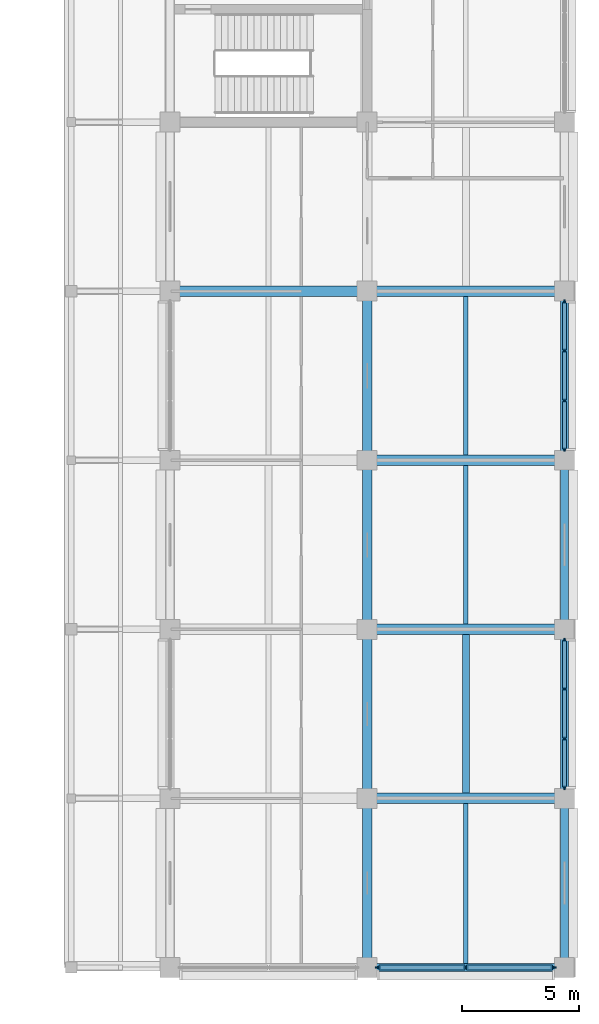
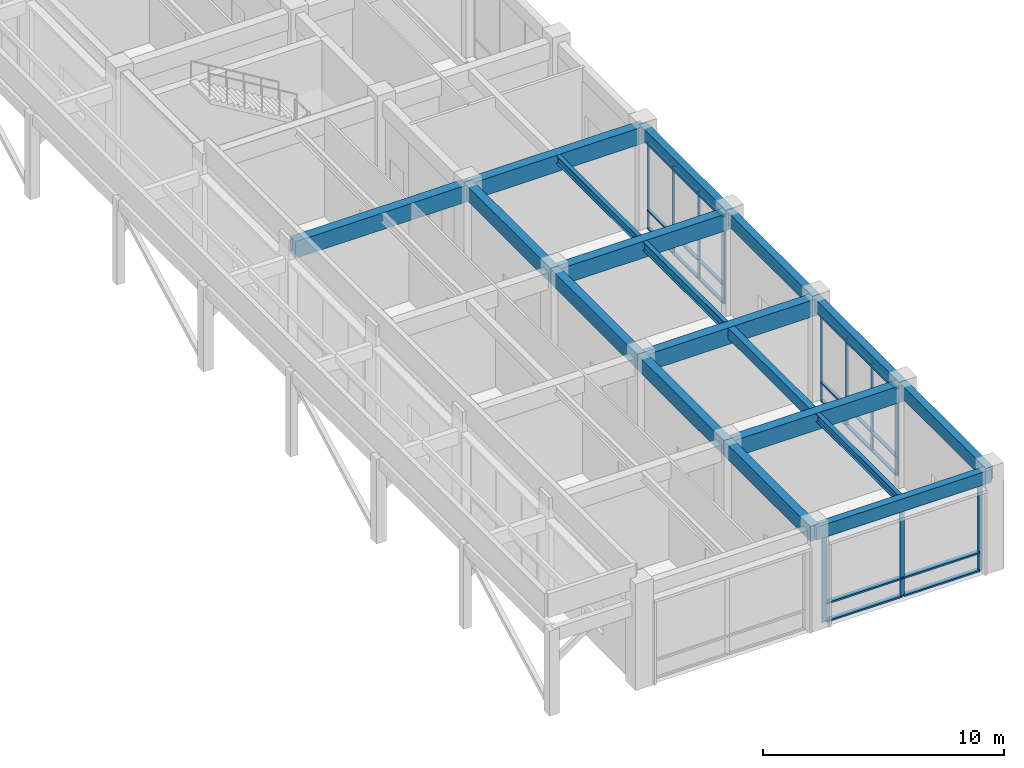
# One storey, part 21 of 68: 35 members, 18 beams, 3 elements without a shape of their own.
"""IFC4 building model written with IfcOpenShell, lengths in metres."""

from ifc_helpers import new_model, si_unit, direction, frame, origin, origin_2d, place, context, subcontext, project, spatial, rectangle, i_section, extrude, material, layer, layer_set, material_profile, profile_set, type_object, element, aggregate, save


model = new_model("IFC4")

# Units and contexts
model_context = context("Model", 3, precision=1e-05, world=origin(), true_north=direction((0.0, 1.0)))
body_context = subcontext(model_context, "Body", "Model", "MODEL_VIEW")
ifc_project = project(units=[si_unit("LENGTHUNIT", "METRE"), si_unit("AREAUNIT", "SQUARE_METRE"), si_unit("VOLUMEUNIT", "CUBIC_METRE"), si_unit("PLANEANGLEUNIT", "RADIAN"), si_unit("MASSUNIT", "GRAM", prefix="KILO")], contexts=[model_context])

# Site, building, storey
site_placement = place(None, origin())
site = spatial("IfcSite", under=ifc_project, at=site_placement, CompositionType="ELEMENT")
building_placement = place(site_placement, origin())
building = spatial("IfcBuilding", under=site, at=building_placement, Name="Chengyuan Square Courthouse", CompositionType="ELEMENT")
storey_placement = place(building_placement, frame((0.0, 0.0, 5.39990234375)))
storey = spatial("IfcBuildingStorey", under=building, at=storey_placement, Name="L02", CompositionType="ELEMENT", Elevation=5.39990234375)

# Beams
ifc_material_1 = material(Name="Concrete C40", Category="concrete")
ifc_material_profile_1 = material_profile(ifc_material_1, rectangle(XDim=0.449951171875, YDim=0.85009765625, at=origin_2d()), Name="RC-BM-450x850")
ifc_profile_set_1 = profile_set([ifc_material_profile_1], Name="Concrete C40")
beam_type_1 = type_object("IfcBeamType", Name="BM-01", PredefinedType="USERDEFINED", material=ifc_profile_set_1)
for number, where, z_axis, x_axis, name in (
    (1, (159.60009765625, 7.199951171875, 4.625), (1.0, 0.0, 0.0), (0.0, 1.0, 0.0), "Girder BM-L02-2078"),
    (2, (159.60009765625, 14.39990234375, 4.625), (1.0, 0.0, 0.0), (0.0, 1.0, 0.0), "Girder BM-L02-2082"),
    (3, (159.60009765625, 21.60009765625, 4.625), (1.0, 0.0, 0.0), (0.0, 1.0, 0.0), "Girder BM-L02-2086"),
):
    element("IfcBeam", number, at=place(storey_placement, frame(where, z_axis=z_axis, x_axis=x_axis)), inside=storey, type_object=beam_type_1, Name=name, ObjectType="GIRDER", PredefinedType="USERDEFINED", context=body_context, shape_type="SweptSolid", body=[
        extrude(rectangle(XDim=0.449951171875, YDim=0.85009765625, at=origin_2d()), origin(), (0.0, 0.0, 1.0), 8.39990234375),
    ])
beam_1_placement = place(storey_placement, frame((151.199951171875, 28.800048828125, 4.625), z_axis=(1.0, 0.0, 0.0), x_axis=(0.0, 1.0, 0.0)))
element("IfcBeam", 4, at=beam_1_placement, inside=storey, type_object=beam_type_1, Name="Girder BM-L02-2089", ObjectType="GIRDER", PredefinedType="USERDEFINED", context=body_context, shape_type="SweptSolid", body=[
    extrude(rectangle(XDim=0.449951171875, YDim=0.85009765625, at=origin_2d()), origin(), (0.0, 0.0, 1.0), 8.400146484375),
])
beam_2_placement = place(storey_placement, frame((159.60009765625, 28.800048828125, 4.625), z_axis=(1.0, 0.0, 0.0), x_axis=(0.0, 1.0, 0.0)))
element("IfcBeam", 5, at=beam_2_placement, inside=storey, type_object=beam_type_1, Name="Girder BM-L02-2090", ObjectType="GIRDER", PredefinedType="USERDEFINED", context=body_context, shape_type="SweptSolid", body=[
    extrude(rectangle(XDim=0.449951171875, YDim=0.85009765625, at=origin_2d()), origin(), (0.0, 0.0, 1.0), 8.39990234375),
])
ifc_material_profile_2 = material_profile(ifc_material_1, rectangle(XDim=0.39990234375, YDim=0.75, at=origin_2d()), Name="RC-BM-400x750")
ifc_profile_set_2 = profile_set([ifc_material_profile_2], Name="Concrete C40")
beam_type_2 = type_object("IfcBeamType", Name="BM-02", PredefinedType="USERDEFINED", material=ifc_profile_set_2)
for number, where, z_axis, x_axis, name in (
    (6, (159.60009765625, 0.0, 4.675048828125), (0.0, 1.0, 0.0), (-1.0, 0.0, 0.0), "Girder BM-L02-2360"),
    (7, (159.60009765625, 7.199951171875, 4.675048828125), (0.0, 1.0, 0.0), (-1.0, 0.0, 0.0), "Girder BM-L02-2361"),
):
    element("IfcBeam", number, at=place(storey_placement, frame(where, z_axis=z_axis, x_axis=x_axis)), inside=storey, type_object=beam_type_2, Name=name, ObjectType="GIRDER", PredefinedType="USERDEFINED", context=body_context, shape_type="SweptSolid", body=[
        extrude(rectangle(XDim=0.39990234375, YDim=0.75, at=origin_2d()), origin(), (0.0, 0.0, 1.0), 7.199951171875),
    ])
beam_3_placement = place(storey_placement, frame((159.60009765625, 14.39990234375, 4.675048828125), z_axis=(0.0, 1.0, 0.0), x_axis=(-1.0, 0.0, 0.0)))
element("IfcBeam", 8, at=beam_3_placement, inside=storey, type_object=beam_type_2, Name="Girder BM-L02-2362", ObjectType="GIRDER", PredefinedType="USERDEFINED", context=body_context, shape_type="SweptSolid", body=[
    extrude(rectangle(XDim=0.39990234375, YDim=0.75, at=origin_2d()), origin(), (0.0, 0.0, 1.0), 7.2001953125),
])
beam_4_placement = place(storey_placement, frame((159.60009765625, 21.60009765625, 4.675048828125), z_axis=(0.0, 1.0, 0.0), x_axis=(-1.0, 0.0, 0.0)))
element("IfcBeam", 9, at=beam_4_placement, inside=storey, type_object=beam_type_2, Name="Girder BM-L02-2363", ObjectType="GIRDER", PredefinedType="USERDEFINED", context=body_context, shape_type="SweptSolid", body=[
    extrude(rectangle(XDim=0.39990234375, YDim=0.75, at=origin_2d()), origin(), (0.0, 0.0, 1.0), 7.199951171875),
])
ifc_material_profile_3 = material_profile(ifc_material_1, rectangle(XDim=0.35009765625, YDim=0.64990234375, at=origin_2d()), Name="RC-BM-350x650")
ifc_profile_set_3 = profile_set([ifc_material_profile_3], Name="Concrete C40")
beam_type_3 = type_object("IfcBeamType", Name="BM-03", PredefinedType="SPANDREL", material=ifc_profile_set_3)
beam_5_placement = place(storey_placement, frame((159.60009765625, 0.0, 4.72509765625), z_axis=(1.0, 0.0, 0.0), x_axis=(0.0, 1.0, 0.0)))
element("IfcBeam", 10, at=beam_5_placement, inside=storey, type_object=beam_type_3, Name="Girder BM-L02-2074", PredefinedType="SPANDREL", context=body_context, shape_type="SweptSolid", body=[
    extrude(rectangle(XDim=0.35009765625, YDim=0.64990234375, at=origin_2d()), origin(), (0.0, 0.0, 1.0), 8.39990234375),
])
for number, where, z_axis, x_axis, name in (
    (11, (168.0, 0.0, 4.72509765625), (0.0, 1.0, 0.0), (-1.0, 0.0, 0.0), "Girder BM-L02-2375"),
    (12, (168.0, 7.199951171875, 4.72509765625), (0.0, 1.0, 0.0), (-1.0, 0.0, 0.0), "Girder BM-L02-2376"),
):
    element("IfcBeam", number, at=place(storey_placement, frame(where, z_axis=z_axis, x_axis=x_axis)), inside=storey, type_object=beam_type_3, Name=name, PredefinedType="SPANDREL", context=body_context, shape_type="SweptSolid", body=[
        extrude(rectangle(XDim=0.35009765625, YDim=0.64990234375, at=origin_2d()), origin(), (0.0, 0.0, 1.0), 7.199951171875),
    ])
beam_6_placement = place(storey_placement, frame((168.0, 14.39990234375, 4.72509765625), z_axis=(0.0, 1.0, 0.0), x_axis=(-1.0, 0.0, 0.0)))
element("IfcBeam", 13, at=beam_6_placement, inside=storey, type_object=beam_type_3, Name="Girder BM-L02-2377", PredefinedType="SPANDREL", context=body_context, shape_type="SweptSolid", body=[
    extrude(rectangle(XDim=0.35009765625, YDim=0.64990234375, at=origin_2d()), origin(), (0.0, 0.0, 1.0), 7.2001953125),
])
beam_7_placement = place(storey_placement, frame((168.0, 21.60009765625, 4.72509765625), z_axis=(0.0, 1.0, 0.0), x_axis=(-1.0, 0.0, 0.0)))
element("IfcBeam", 14, at=beam_7_placement, inside=storey, type_object=beam_type_3, Name="Girder BM-L02-2378", PredefinedType="SPANDREL", context=body_context, shape_type="SweptSolid", body=[
    extrude(rectangle(XDim=0.35009765625, YDim=0.64990234375, at=origin_2d()), origin(), (0.0, 0.0, 1.0), 7.199951171875),
])
ifc_material_profile_4 = material_profile(ifc_material_1, rectangle(XDim=0.300048828125, YDim=0.550048828125, at=origin_2d()), Name="RC-BM-300x550")
ifc_profile_set_4 = profile_set([ifc_material_profile_4], Name="Concrete C40")
beam_type_4 = type_object("IfcBeamType", Name="BM-04", PredefinedType="BEAM", material=ifc_profile_set_4)
beam_8_placement = place(storey_placement, frame((163.800048828125, 7.425048828125, 4.775146484375), z_axis=(0.0, 1.0, 0.0), x_axis=(-1.0, 0.0, 0.0)))
element("IfcBeam", 15, at=beam_8_placement, inside=storey, type_object=beam_type_4, Name="Secondary Floor Beam SBM-L02-2494", PredefinedType="BEAM", context=body_context, shape_type="SweptSolid", body=[
    extrude(rectangle(XDim=0.300048828125, YDim=0.550048828125, at=origin_2d()), origin(), (0.0, 0.0, 1.0), 6.75),
])
ifc_material_2 = material(Name="Steel Q355B", Category="steel")
ifc_material_profile_5 = material_profile(ifc_material_2, i_section(OverallWidth=0.199951171875, OverallDepth=0.449951171875, WebThickness=0.009033203125, FlangeThickness=0.013916015625, at=origin_2d()), Name="HN 450x200x9x14")
ifc_profile_set_5 = profile_set([ifc_material_profile_5], Name="Steel Q355B")
beam_type_5 = type_object("IfcBeamType", Name="BM-06", PredefinedType="BEAM", material=ifc_profile_set_5)
beam_9_placement = place(storey_placement, frame((163.800048828125, 14.625, 4.8251953125), z_axis=(0.0, 1.0, 0.0), x_axis=(-1.0, 0.0, 0.0)))
element("IfcBeam", 16, at=beam_9_placement, inside=storey, type_object=beam_type_5, Name="Secondary Floor Beam SBM-L02-2495", PredefinedType="BEAM", context=body_context, shape_type="SweptSolid", body=[
    extrude(i_section(OverallWidth=0.199951171875, OverallDepth=0.449951171875, WebThickness=0.009033203125, FlangeThickness=0.013916015625, at=origin_2d()), origin(), (0.0, 0.0, 1.0), 6.75),
])
ifc_material_profile_6 = material_profile(ifc_material_2, i_section(OverallWidth=0.199951171875, OverallDepth=0.39990234375, WebThickness=0.008056640625, FlangeThickness=0.012939453125, at=origin_2d()), Name="HN 400x200x8x13")
ifc_profile_set_6 = profile_set([ifc_material_profile_6], Name="Steel Q355B")
beam_type_6 = type_object("IfcBeamType", Name="BM-07", PredefinedType="BEAM", material=ifc_profile_set_6)
beam_10_placement = place(storey_placement, frame((163.800048828125, 0.175048828125, 4.85009765625), z_axis=(0.0, 1.0, 0.0), x_axis=(-1.0, 0.0, 0.0)))
element("IfcBeam", 17, at=beam_10_placement, inside=storey, type_object=beam_type_6, Name="Secondary Floor Beam SBM-L02-2493", PredefinedType="BEAM", context=body_context, shape_type="SweptSolid", body=[
    extrude(i_section(OverallWidth=0.199951171875, OverallDepth=0.39990234375, WebThickness=0.008056640625, FlangeThickness=0.012939453125, at=origin_2d()), origin(), (0.0, 0.0, 1.0), 6.800048828125),
])
beam_11_placement = place(storey_placement, frame((163.800048828125, 21.824951171875, 4.85009765625), z_axis=(0.0, 1.0, 0.0), x_axis=(-1.0, 0.0, 0.0)))
element("IfcBeam", 18, at=beam_11_placement, inside=storey, type_object=beam_type_6, Name="Secondary Floor Beam SBM-L02-2496", PredefinedType="BEAM", context=body_context, shape_type="SweptSolid", body=[
    extrude(i_section(OverallWidth=0.199951171875, OverallDepth=0.39990234375, WebThickness=0.008056640625, FlangeThickness=0.012939453125, at=origin_2d()), origin(), (0.0, 0.0, 1.0), 6.75),
])

# Curtain wall, members
ifc_material_3 = material(Name="Unitised Aluminium and Triple Low-E Glass", Category="aluminium")
ifc_layer_1 = layer(ifc_material_3, 0.159912109375)
ifc_layer_set_1 = layer_set([ifc_layer_1], Name="Unitised Aluminium and Triple Low-E Glass")
curtain_wall_type_1 = type_object("IfcCurtainWallType", Name="CW-17", PredefinedType="USERDEFINED", material=ifc_layer_set_1)
curtain_wall_1_placement = place(storey_placement, origin())
curtain_wall_1 = element("IfcCurtainWall", 19, at=curtain_wall_1_placement, inside=storey, type_object=curtain_wall_type_1, Name="Unitised Curtain Wall CW-L02-083", ObjectType="UNITISED CURTAIN WALL", PredefinedType="USERDEFINED")
ifc_material_4 = material(Name="Aluminium 6063-T6 Frame", Category="aluminium")
ifc_material_profile_7 = material_profile(ifc_material_4, rectangle(XDim=0.06005859375, YDim=0.159912109375, at=origin_2d()), Name="CW-MUL-60x160")
ifc_profile_set_7 = profile_set([ifc_material_profile_7], Name="Aluminium 6063-T6 Frame")
member_type_1 = type_object("IfcMemberType", Name="CWM-01", PredefinedType="MULLION", material=ifc_profile_set_7)
member_1_placement = place(storey_placement, frame((168.0, 7.655029296875, 0.0), z_axis=(0.0, 0.0, 1.0), x_axis=(-1.0, 0.0, 0.0)))
member_1 = element("IfcMember", 20, at=member_1_placement, type_object=member_type_1, Name="CW-17 mullion 1", PredefinedType="MULLION", context=body_context, shape_type="SweptSolid", body=[
    extrude(rectangle(XDim=0.06005859375, YDim=0.159912109375, at=origin_2d()), origin(), (0.0, 0.0, 1.0), 4.400146484375),
])
member_2_placement = place(storey_placement, frame((168.0, 9.74169921875, 0.0), z_axis=(0.0, 0.0, 1.0), x_axis=(-1.0, 0.0, 0.0)))
member_2 = element("IfcMember", 21, at=member_2_placement, type_object=member_type_1, Name="CW-17 mullion 2", PredefinedType="MULLION", context=body_context, shape_type="SweptSolid", body=[
    extrude(rectangle(XDim=0.06005859375, YDim=0.159912109375, at=origin_2d()), origin(), (0.0, 0.0, 1.0), 4.400146484375),
])
member_3_placement = place(storey_placement, frame((168.0, 11.8583984375, 0.0), z_axis=(0.0, 0.0, 1.0), x_axis=(-1.0, 0.0, 0.0)))
member_3 = element("IfcMember", 22, at=member_3_placement, type_object=member_type_1, Name="CW-17 mullion 3", PredefinedType="MULLION", context=body_context, shape_type="SweptSolid", body=[
    extrude(rectangle(XDim=0.06005859375, YDim=0.159912109375, at=origin_2d()), origin(), (0.0, 0.0, 1.0), 4.400146484375),
])
member_4_placement = place(storey_placement, frame((168.0, 13.945068359375, 0.0), z_axis=(0.0, 0.0, 1.0), x_axis=(-1.0, 0.0, 0.0)))
member_4 = element("IfcMember", 23, at=member_4_placement, type_object=member_type_1, Name="CW-17 mullion 4", PredefinedType="MULLION", context=body_context, shape_type="SweptSolid", body=[
    extrude(rectangle(XDim=0.06005859375, YDim=0.159912109375, at=origin_2d()), origin(), (0.0, 0.0, 1.0), 4.400146484375),
])

curtain_wall_2_placement = place(storey_placement, origin())
curtain_wall_2 = element("IfcCurtainWall", 24, at=curtain_wall_2_placement, inside=storey, type_object=curtain_wall_type_1, Name="Unitised Curtain Wall CW-L02-084", ObjectType="UNITISED CURTAIN WALL", PredefinedType="USERDEFINED")
member_5_placement = place(storey_placement, frame((168.0, 22.054931640625, 0.0), z_axis=(0.0, 0.0, 1.0), x_axis=(-1.0, 0.0, 0.0)))
member_5 = element("IfcMember", 25, at=member_5_placement, type_object=member_type_1, Name="CW-17 mullion 1", PredefinedType="MULLION", context=body_context, shape_type="SweptSolid", body=[
    extrude(rectangle(XDim=0.06005859375, YDim=0.159912109375, at=origin_2d()), origin(), (0.0, 0.0, 1.0), 4.400146484375),
])
member_6_placement = place(storey_placement, frame((168.0, 24.1416015625, 0.0), z_axis=(0.0, 0.0, 1.0), x_axis=(-1.0, 0.0, 0.0)))
member_6 = element("IfcMember", 26, at=member_6_placement, type_object=member_type_1, Name="CW-17 mullion 2", PredefinedType="MULLION", context=body_context, shape_type="SweptSolid", body=[
    extrude(rectangle(XDim=0.06005859375, YDim=0.159912109375, at=origin_2d()), origin(), (0.0, 0.0, 1.0), 4.400146484375),
])
member_7_placement = place(storey_placement, frame((168.0, 26.25830078125, 0.0), z_axis=(0.0, 0.0, 1.0), x_axis=(-1.0, 0.0, 0.0)))
member_7 = element("IfcMember", 27, at=member_7_placement, type_object=member_type_1, Name="CW-17 mullion 3", PredefinedType="MULLION", context=body_context, shape_type="SweptSolid", body=[
    extrude(rectangle(XDim=0.06005859375, YDim=0.159912109375, at=origin_2d()), origin(), (0.0, 0.0, 1.0), 4.400146484375),
])
member_8_placement = place(storey_placement, frame((168.0, 28.344970703125, 0.0), z_axis=(0.0, 0.0, 1.0), x_axis=(-1.0, 0.0, 0.0)))
member_8 = element("IfcMember", 28, at=member_8_placement, type_object=member_type_1, Name="CW-17 mullion 4", PredefinedType="MULLION", context=body_context, shape_type="SweptSolid", body=[
    extrude(rectangle(XDim=0.06005859375, YDim=0.159912109375, at=origin_2d()), origin(), (0.0, 0.0, 1.0), 4.400146484375),
])

ifc_layer_2 = layer(ifc_material_3, 0.219970703125)
ifc_layer_set_2 = layer_set([ifc_layer_2], Name="Unitised Aluminium and Triple Low-E Glass")
curtain_wall_type_2 = type_object("IfcCurtainWallType", Name="CW-04", PredefinedType="USERDEFINED", material=ifc_layer_set_2)
curtain_wall_3_placement = place(storey_placement, origin())
curtain_wall_3 = element("IfcCurtainWall", 29, at=curtain_wall_3_placement, inside=storey, type_object=curtain_wall_type_2, Name="Unitised Curtain Wall CW-L02-082", ObjectType="UNITISED CURTAIN WALL", PredefinedType="USERDEFINED")
ifc_material_profile_8 = material_profile(ifc_material_4, rectangle(XDim=0.080078125, YDim=0.219970703125, at=origin_2d()), Name="CW-MUL-80x220")
ifc_profile_set_8 = profile_set([ifc_material_profile_8], Name="Aluminium 6063-T6 Frame")
member_type_2 = type_object("IfcMemberType", Name="CWM-04", PredefinedType="MULLION", material=ifc_profile_set_8)
member_9_placement = place(storey_placement, frame((160.06494140625, 0.0, 0.0), z_axis=(0.0, 0.0, 1.0), x_axis=(0.0, 1.0, 0.0)))
member_9 = element("IfcMember", 30, at=member_9_placement, type_object=member_type_2, Name="CW-04 mullion 1", PredefinedType="MULLION", context=body_context, shape_type="SweptSolid", body=[
    extrude(rectangle(XDim=0.080078125, YDim=0.219970703125, at=origin_2d()), origin(), (0.0, 0.0, 1.0), 4.400146484375),
])
member_10_placement = place(storey_placement, frame((163.800048828125, 0.0, 0.0), z_axis=(0.0, 0.0, 1.0), x_axis=(0.0, 1.0, 0.0)))
member_10 = element("IfcMember", 31, at=member_10_placement, type_object=member_type_2, Name="CW-04 mullion 2", PredefinedType="MULLION", context=body_context, shape_type="SweptSolid", body=[
    extrude(rectangle(XDim=0.080078125, YDim=0.219970703125, at=origin_2d()), origin(), (0.0, 0.0, 1.0), 4.400146484375),
])
member_11_placement = place(storey_placement, frame((167.534912109375, 0.0, 0.0), z_axis=(0.0, 0.0, 1.0), x_axis=(0.0, 1.0, 0.0)))
member_11 = element("IfcMember", 32, at=member_11_placement, type_object=member_type_2, Name="CW-04 mullion 3", PredefinedType="MULLION", context=body_context, shape_type="SweptSolid", body=[
    extrude(rectangle(XDim=0.080078125, YDim=0.219970703125, at=origin_2d()), origin(), (0.0, 0.0, 1.0), 4.400146484375),
])

# Member
ifc_material_profile_9 = material_profile(ifc_material_4, rectangle(XDim=0.159912109375, YDim=0.06005859375, at=origin_2d()), Name="CW-TRN-60x120")
ifc_profile_set_9 = profile_set([ifc_material_profile_9], Name="Aluminium 6063-T6 Frame")
member_type_3 = type_object("IfcMemberType", Name="CWT-01", PredefinedType="USERDEFINED", material=ifc_profile_set_9)
member_12_placement = place(storey_placement, frame((168.0, 7.68505859375, 0.030029296875), z_axis=(0.0, 1.0, 0.0), x_axis=(-1.0, 0.0, 0.0)))
member_12 = element("IfcMember", 33, at=member_12_placement, type_object=member_type_3, Name="CW-17 transom 1.1", ObjectType="TRANSOM", PredefinedType="USERDEFINED", context=body_context, shape_type="SweptSolid", body=[
    extrude(rectangle(XDim=0.159912109375, YDim=0.06005859375, at=origin_2d()), origin(), (0.0, 0.0, 1.0), 2.026611328125),
])

member_13_placement = place(storey_placement, frame((168.0, 7.68505859375, 0.9501953125), z_axis=(0.0, 1.0, 0.0), x_axis=(-1.0, 0.0, 0.0)))
member_13 = element("IfcMember", 34, at=member_13_placement, type_object=member_type_3, Name="CW-17 transom 1.2", ObjectType="TRANSOM", PredefinedType="USERDEFINED", context=body_context, shape_type="SweptSolid", body=[
    extrude(rectangle(XDim=0.159912109375, YDim=0.06005859375, at=origin_2d()), origin(), (0.0, 0.0, 1.0), 2.026611328125),
])

member_14_placement = place(storey_placement, frame((168.0, 7.68505859375, 4.3701171875), z_axis=(0.0, 1.0, 0.0), x_axis=(-1.0, 0.0, 0.0)))
member_14 = element("IfcMember", 35, at=member_14_placement, type_object=member_type_3, Name="CW-17 transom 1.3", ObjectType="TRANSOM", PredefinedType="USERDEFINED", context=body_context, shape_type="SweptSolid", body=[
    extrude(rectangle(XDim=0.159912109375, YDim=0.06005859375, at=origin_2d()), origin(), (0.0, 0.0, 1.0), 2.026611328125),
])

member_15_placement = place(storey_placement, frame((168.0, 9.771728515625, 0.030029296875), z_axis=(0.0, 1.0, 0.0), x_axis=(-1.0, 0.0, 0.0)))
member_15 = element("IfcMember", 36, at=member_15_placement, type_object=member_type_3, Name="CW-17 transom 2.1", ObjectType="TRANSOM", PredefinedType="USERDEFINED", context=body_context, shape_type="SweptSolid", body=[
    extrude(rectangle(XDim=0.159912109375, YDim=0.06005859375, at=origin_2d()), origin(), (0.0, 0.0, 1.0), 2.056640625),
])

member_16_placement = place(storey_placement, frame((168.0, 9.771728515625, 0.9501953125), z_axis=(0.0, 1.0, 0.0), x_axis=(-1.0, 0.0, 0.0)))
member_16 = element("IfcMember", 37, at=member_16_placement, type_object=member_type_3, Name="CW-17 transom 2.2", ObjectType="TRANSOM", PredefinedType="USERDEFINED", context=body_context, shape_type="SweptSolid", body=[
    extrude(rectangle(XDim=0.159912109375, YDim=0.06005859375, at=origin_2d()), origin(), (0.0, 0.0, 1.0), 2.056640625),
])

member_17_placement = place(storey_placement, frame((168.0, 9.771728515625, 4.3701171875), z_axis=(0.0, 1.0, 0.0), x_axis=(-1.0, 0.0, 0.0)))
member_17 = element("IfcMember", 38, at=member_17_placement, type_object=member_type_3, Name="CW-17 transom 2.3", ObjectType="TRANSOM", PredefinedType="USERDEFINED", context=body_context, shape_type="SweptSolid", body=[
    extrude(rectangle(XDim=0.159912109375, YDim=0.06005859375, at=origin_2d()), origin(), (0.0, 0.0, 1.0), 2.056640625),
])

member_18_placement = place(storey_placement, frame((168.0, 11.888427734375, 0.030029296875), z_axis=(0.0, 1.0, 0.0), x_axis=(-1.0, 0.0, 0.0)))
member_18 = element("IfcMember", 39, at=member_18_placement, type_object=member_type_3, Name="CW-17 transom 3.1", ObjectType="TRANSOM", PredefinedType="USERDEFINED", context=body_context, shape_type="SweptSolid", body=[
    extrude(rectangle(XDim=0.159912109375, YDim=0.06005859375, at=origin_2d()), origin(), (0.0, 0.0, 1.0), 2.026611328125),
])

member_19_placement = place(storey_placement, frame((168.0, 11.888427734375, 0.9501953125), z_axis=(0.0, 1.0, 0.0), x_axis=(-1.0, 0.0, 0.0)))
member_19 = element("IfcMember", 40, at=member_19_placement, type_object=member_type_3, Name="CW-17 transom 3.2", ObjectType="TRANSOM", PredefinedType="USERDEFINED", context=body_context, shape_type="SweptSolid", body=[
    extrude(rectangle(XDim=0.159912109375, YDim=0.06005859375, at=origin_2d()), origin(), (0.0, 0.0, 1.0), 2.026611328125),
])

member_20_placement = place(storey_placement, frame((168.0, 11.888427734375, 4.3701171875), z_axis=(0.0, 1.0, 0.0), x_axis=(-1.0, 0.0, 0.0)))
member_20 = element("IfcMember", 41, at=member_20_placement, type_object=member_type_3, Name="CW-17 transom 3.3", ObjectType="TRANSOM", PredefinedType="USERDEFINED", context=body_context, shape_type="SweptSolid", body=[
    extrude(rectangle(XDim=0.159912109375, YDim=0.06005859375, at=origin_2d()), origin(), (0.0, 0.0, 1.0), 2.026611328125),
])

aggregate(curtain_wall_1, [member_1, member_2, member_3, member_4, member_12, member_13, member_14, member_15, member_16, member_17, member_18, member_19, member_20])

member_21_placement = place(storey_placement, frame((168.0, 22.0849609375, 0.030029296875), z_axis=(0.0, 1.0, 0.0), x_axis=(-1.0, 0.0, 0.0)))
member_21 = element("IfcMember", 42, at=member_21_placement, type_object=member_type_3, Name="CW-17 transom 1.1", ObjectType="TRANSOM", PredefinedType="USERDEFINED", context=body_context, shape_type="SweptSolid", body=[
    extrude(rectangle(XDim=0.159912109375, YDim=0.06005859375, at=origin_2d()), origin(), (0.0, 0.0, 1.0), 2.026611328125),
])

member_22_placement = place(storey_placement, frame((168.0, 22.0849609375, 0.9501953125), z_axis=(0.0, 1.0, 0.0), x_axis=(-1.0, 0.0, 0.0)))
member_22 = element("IfcMember", 43, at=member_22_placement, type_object=member_type_3, Name="CW-17 transom 1.2", ObjectType="TRANSOM", PredefinedType="USERDEFINED", context=body_context, shape_type="SweptSolid", body=[
    extrude(rectangle(XDim=0.159912109375, YDim=0.06005859375, at=origin_2d()), origin(), (0.0, 0.0, 1.0), 2.026611328125),
])

member_23_placement = place(storey_placement, frame((168.0, 22.0849609375, 4.3701171875), z_axis=(0.0, 1.0, 0.0), x_axis=(-1.0, 0.0, 0.0)))
member_23 = element("IfcMember", 44, at=member_23_placement, type_object=member_type_3, Name="CW-17 transom 1.3", ObjectType="TRANSOM", PredefinedType="USERDEFINED", context=body_context, shape_type="SweptSolid", body=[
    extrude(rectangle(XDim=0.159912109375, YDim=0.06005859375, at=origin_2d()), origin(), (0.0, 0.0, 1.0), 2.026611328125),
])

member_24_placement = place(storey_placement, frame((168.0, 24.171630859375, 0.030029296875), z_axis=(0.0, 1.0, 0.0), x_axis=(-1.0, 0.0, 0.0)))
member_24 = element("IfcMember", 45, at=member_24_placement, type_object=member_type_3, Name="CW-17 transom 2.1", ObjectType="TRANSOM", PredefinedType="USERDEFINED", context=body_context, shape_type="SweptSolid", body=[
    extrude(rectangle(XDim=0.159912109375, YDim=0.06005859375, at=origin_2d()), origin(), (0.0, 0.0, 1.0), 2.056640625),
])

member_25_placement = place(storey_placement, frame((168.0, 24.171630859375, 0.9501953125), z_axis=(0.0, 1.0, 0.0), x_axis=(-1.0, 0.0, 0.0)))
member_25 = element("IfcMember", 46, at=member_25_placement, type_object=member_type_3, Name="CW-17 transom 2.2", ObjectType="TRANSOM", PredefinedType="USERDEFINED", context=body_context, shape_type="SweptSolid", body=[
    extrude(rectangle(XDim=0.159912109375, YDim=0.06005859375, at=origin_2d()), origin(), (0.0, 0.0, 1.0), 2.056640625),
])

member_26_placement = place(storey_placement, frame((168.0, 24.171630859375, 4.3701171875), z_axis=(0.0, 1.0, 0.0), x_axis=(-1.0, 0.0, 0.0)))
member_26 = element("IfcMember", 47, at=member_26_placement, type_object=member_type_3, Name="CW-17 transom 2.3", ObjectType="TRANSOM", PredefinedType="USERDEFINED", context=body_context, shape_type="SweptSolid", body=[
    extrude(rectangle(XDim=0.159912109375, YDim=0.06005859375, at=origin_2d()), origin(), (0.0, 0.0, 1.0), 2.056640625),
])

member_27_placement = place(storey_placement, frame((168.0, 26.288330078125, 0.030029296875), z_axis=(0.0, 1.0, 0.0), x_axis=(-1.0, 0.0, 0.0)))
member_27 = element("IfcMember", 48, at=member_27_placement, type_object=member_type_3, Name="CW-17 transom 3.1", ObjectType="TRANSOM", PredefinedType="USERDEFINED", context=body_context, shape_type="SweptSolid", body=[
    extrude(rectangle(XDim=0.159912109375, YDim=0.06005859375, at=origin_2d()), origin(), (0.0, 0.0, 1.0), 2.026611328125),
])

member_28_placement = place(storey_placement, frame((168.0, 26.288330078125, 0.9501953125), z_axis=(0.0, 1.0, 0.0), x_axis=(-1.0, 0.0, 0.0)))
member_28 = element("IfcMember", 49, at=member_28_placement, type_object=member_type_3, Name="CW-17 transom 3.2", ObjectType="TRANSOM", PredefinedType="USERDEFINED", context=body_context, shape_type="SweptSolid", body=[
    extrude(rectangle(XDim=0.159912109375, YDim=0.06005859375, at=origin_2d()), origin(), (0.0, 0.0, 1.0), 2.026611328125),
])

member_29_placement = place(storey_placement, frame((168.0, 26.288330078125, 4.3701171875), z_axis=(0.0, 1.0, 0.0), x_axis=(-1.0, 0.0, 0.0)))
member_29 = element("IfcMember", 50, at=member_29_placement, type_object=member_type_3, Name="CW-17 transom 3.3", ObjectType="TRANSOM", PredefinedType="USERDEFINED", context=body_context, shape_type="SweptSolid", body=[
    extrude(rectangle(XDim=0.159912109375, YDim=0.06005859375, at=origin_2d()), origin(), (0.0, 0.0, 1.0), 2.026611328125),
])

aggregate(curtain_wall_2, [member_5, member_6, member_7, member_8, member_21, member_22, member_23, member_24, member_25, member_26, member_27, member_28, member_29])

ifc_material_profile_10 = material_profile(ifc_material_4, rectangle(XDim=0.219970703125, YDim=0.080078125, at=origin_2d()), Name="CW-TRN-80x180")
ifc_profile_set_10 = profile_set([ifc_material_profile_10], Name="Aluminium 6063-T6 Frame")
member_type_4 = type_object("IfcMemberType", Name="CWT-04", PredefinedType="USERDEFINED", material=ifc_profile_set_10)
member_30_placement = place(storey_placement, frame((160.10498046875, 0.0, 0.0400390625), z_axis=(1.0, 0.0, 0.0), x_axis=(0.0, 1.0, 0.0)))
member_30 = element("IfcMember", 51, at=member_30_placement, type_object=member_type_4, Name="CW-04 transom 1.1", ObjectType="TRANSOM", PredefinedType="USERDEFINED", context=body_context, shape_type="SweptSolid", body=[
    extrude(rectangle(XDim=0.219970703125, YDim=0.080078125, at=origin_2d()), origin(), (0.0, 0.0, 1.0), 3.655029296875),
])

member_31_placement = place(storey_placement, frame((160.10498046875, 0.0, 0.9501953125), z_axis=(1.0, 0.0, 0.0), x_axis=(0.0, 1.0, 0.0)))
member_31 = element("IfcMember", 52, at=member_31_placement, type_object=member_type_4, Name="CW-04 transom 1.2", ObjectType="TRANSOM", PredefinedType="USERDEFINED", context=body_context, shape_type="SweptSolid", body=[
    extrude(rectangle(XDim=0.219970703125, YDim=0.080078125, at=origin_2d()), origin(), (0.0, 0.0, 1.0), 3.655029296875),
])

member_32_placement = place(storey_placement, frame((160.10498046875, 0.0, 4.360107421875), z_axis=(1.0, 0.0, 0.0), x_axis=(0.0, 1.0, 0.0)))
member_32 = element("IfcMember", 53, at=member_32_placement, type_object=member_type_4, Name="CW-04 transom 1.3", ObjectType="TRANSOM", PredefinedType="USERDEFINED", context=body_context, shape_type="SweptSolid", body=[
    extrude(rectangle(XDim=0.219970703125, YDim=0.080078125, at=origin_2d()), origin(), (0.0, 0.0, 1.0), 3.655029296875),
])

member_33_placement = place(storey_placement, frame((163.840087890625, 0.0, 0.0400390625), z_axis=(1.0, 0.0, 0.0), x_axis=(0.0, 1.0, 0.0)))
member_33 = element("IfcMember", 54, at=member_33_placement, type_object=member_type_4, Name="CW-04 transom 2.1", ObjectType="TRANSOM", PredefinedType="USERDEFINED", context=body_context, shape_type="SweptSolid", body=[
    extrude(rectangle(XDim=0.219970703125, YDim=0.080078125, at=origin_2d()), origin(), (0.0, 0.0, 1.0), 3.655029296875),
])

member_34_placement = place(storey_placement, frame((163.840087890625, 0.0, 0.9501953125), z_axis=(1.0, 0.0, 0.0), x_axis=(0.0, 1.0, 0.0)))
member_34 = element("IfcMember", 55, at=member_34_placement, type_object=member_type_4, Name="CW-04 transom 2.2", ObjectType="TRANSOM", PredefinedType="USERDEFINED", context=body_context, shape_type="SweptSolid", body=[
    extrude(rectangle(XDim=0.219970703125, YDim=0.080078125, at=origin_2d()), origin(), (0.0, 0.0, 1.0), 3.655029296875),
])

member_35_placement = place(storey_placement, frame((163.840087890625, 0.0, 4.360107421875), z_axis=(1.0, 0.0, 0.0), x_axis=(0.0, 1.0, 0.0)))
member_35 = element("IfcMember", 56, at=member_35_placement, type_object=member_type_4, Name="CW-04 transom 2.3", ObjectType="TRANSOM", PredefinedType="USERDEFINED", context=body_context, shape_type="SweptSolid", body=[
    extrude(rectangle(XDim=0.219970703125, YDim=0.080078125, at=origin_2d()), origin(), (0.0, 0.0, 1.0), 3.655029296875),
])

aggregate(curtain_wall_3, [member_9, member_10, member_11, member_30, member_31, member_32, member_33, member_34, member_35])

save(model, "model.ifc")
